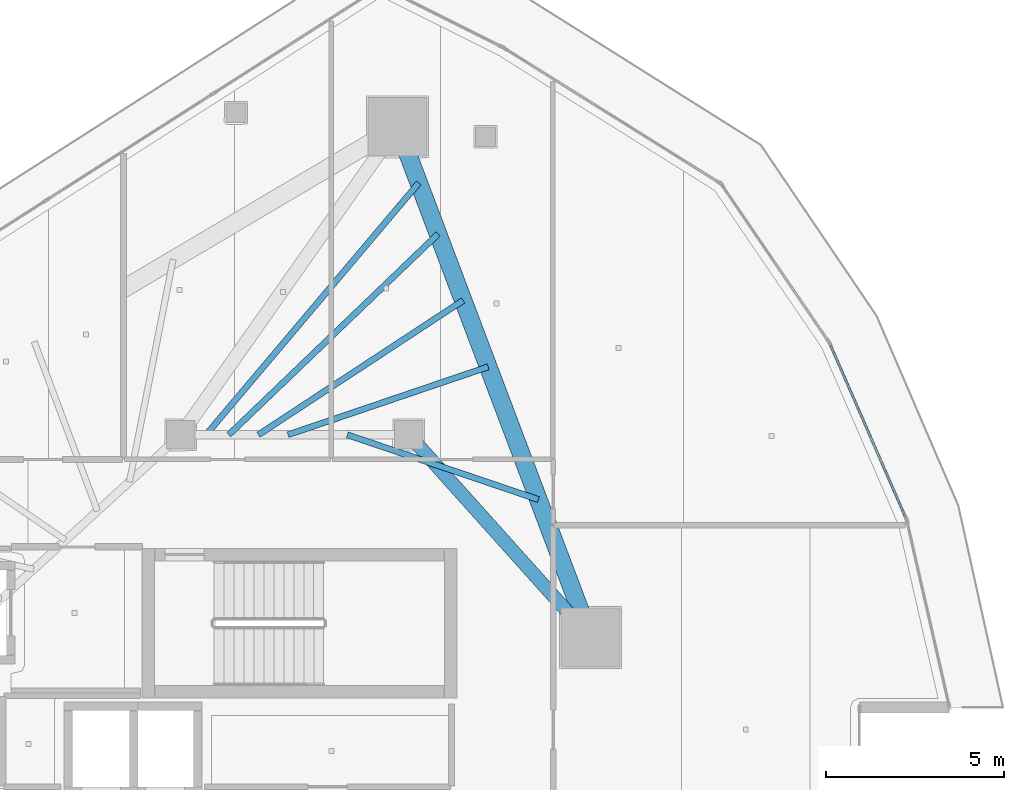
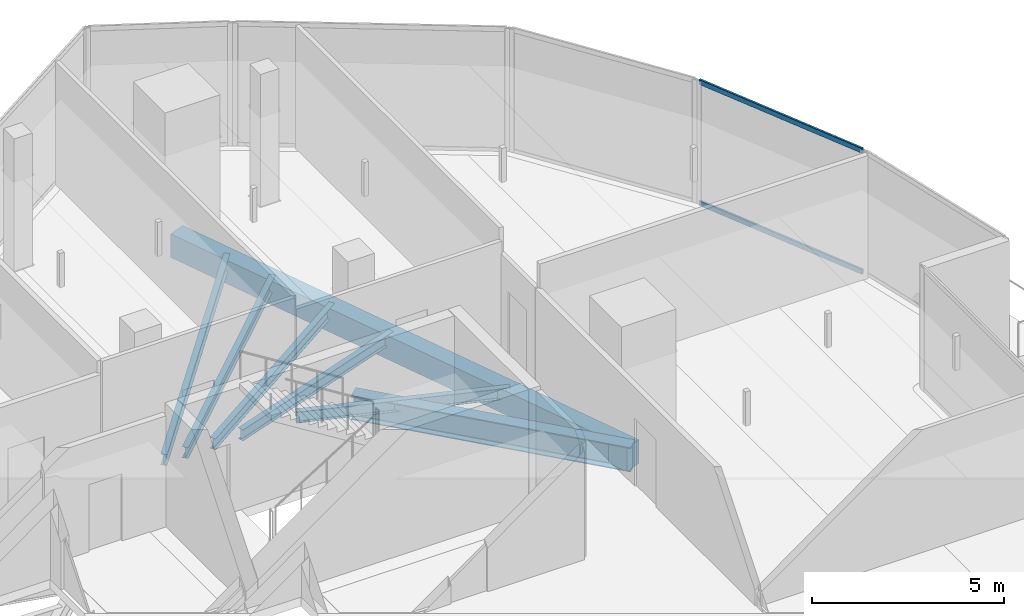
# One storey, part 20 of 36: 7 beams, 2 members, 1 element without a shape of its own.
"""IFC4 building model written with IfcOpenShell, lengths in metres."""

from ifc_helpers import new_model, si_unit, direction, frame, origin, origin_2d, place, context, subcontext, project, spatial, rectangle, hollow_rectangle, i_section, extrude, material, layer, layer_set, material_profile, profile_set, type_object, element, aggregate, save


model = new_model("IFC4")

# Units and contexts
model_context = context("Model", 3, precision=1e-05, world=origin(), true_north=direction((0.0, 1.0)))
body_context = subcontext(model_context, "Body", "Model", "MODEL_VIEW")
ifc_project = project(units=[si_unit("LENGTHUNIT", "METRE"), si_unit("AREAUNIT", "SQUARE_METRE"), si_unit("VOLUMEUNIT", "CUBIC_METRE"), si_unit("PLANEANGLEUNIT", "RADIAN"), si_unit("MASSUNIT", "GRAM", prefix="KILO")], contexts=[model_context])

# Site, building, storey
site_placement = place(None, origin())
site = spatial("IfcSite", under=ifc_project, at=site_placement, CompositionType="ELEMENT")
building_placement = place(site_placement, origin())
building = spatial("IfcBuilding", under=site, at=building_placement, Name="Qorvath Tower", CompositionType="ELEMENT")
storey_placement = place(building_placement, frame((0.0, 0.0, 272.39990234375)))
storey = spatial("IfcBuildingStorey", under=building, at=storey_placement, Name="L63", CompositionType="ELEMENT", Elevation=272.39990234375)

# Beams
ifc_material_1 = material(Name="Steel ASTM A992 Grade 50", Category="steel")
ifc_material_profile_1 = material_profile(ifc_material_1, i_section(OverallWidth=0.381103515625, OverallDepth=0.77294921875, WebThickness=0.0166015625, FlangeThickness=0.027099609375, FilletRadius=0.01904296875, at=origin_2d()), Name="W30x173")
ifc_profile_set_1 = profile_set([ifc_material_profile_1], Name="Steel ASTM A992 Grade 50")
beam_type_1 = type_object("IfcBeamType", Name="BM-FG3", PredefinedType="BEAM", material=ifc_profile_set_1)
beam_1_placement = place(storey_placement, frame((-17.199951171875, 11.449951171875, -0.67626953125), z_axis=(0.667543184261, -0.744571082669, 0.0), x_axis=(0.744571082669, 0.667543184261, 0.0)))
element("IfcBeam", 1, at=beam_1_placement, inside=storey, type_object=beam_type_1, Name="Radial Floor Girder CC2-MC5 L63", PredefinedType="BEAM", context=body_context, shape_type="SweptSolid", body=[
    extrude(i_section(OverallWidth=0.381103515625, OverallDepth=0.77294921875, WebThickness=0.0166015625, FlangeThickness=0.027099609375, FilletRadius=0.01904296875, at=origin_2d()), origin(), (0.0, 0.0, 1.0), 7.644775390625),
])
ifc_material_2 = material(Name="Steel ASTM A992 Grade 50", Category="steel")
ifc_material_profile_2 = material_profile(ifc_material_2, i_section(OverallWidth=0.1708984375, OverallDepth=0.35107421875, WebThickness=0.0068359375, FlangeThickness=0.009765625, FilletRadius=0.010009765625, at=origin_2d()), Name="W14x30")
ifc_profile_set_2 = profile_set([ifc_material_profile_2], Name="Steel ASTM A992 Grade 50")
beam_type_2 = type_object("IfcBeamType", Name="BM-FJ4", PredefinedType="JOIST", material=ifc_profile_set_2)
beam_2_placement = place(storey_placement, frame((-18.927978515625, 11.449951171875, -0.46533203125), z_axis=(0.947086298547, -0.32097903842, 0.0), x_axis=(0.32097903842, 0.947086298547, 0.0)))
element("IfcBeam", 2, at=beam_2_placement, inside=storey, type_object=beam_type_2, Name="Composite Floor Joist NE2 L63", PredefinedType="JOIST", context=body_context, shape_type="SweptSolid", body=[
    extrude(i_section(OverallWidth=0.1708984375, OverallDepth=0.35107421875, WebThickness=0.0068359375, FlangeThickness=0.009765625, FilletRadius=0.010009765625, at=origin_2d()), origin(), (0.0, 0.0, 1.0), 5.66796875),
])
beam_3_placement = place(storey_placement, frame((-20.592041015625, 11.449951171875, -0.46533203125), z_axis=(0.946863164885, 0.321636669216, 0.0), x_axis=(-0.321636669216, 0.946863164885, 0.0)))
element("IfcBeam", 3, at=beam_3_placement, inside=storey, type_object=beam_type_2, Name="Composite Floor Joist NE4 L63", PredefinedType="JOIST", context=body_context, shape_type="SweptSolid", body=[
    extrude(i_section(OverallWidth=0.1708984375, OverallDepth=0.35107421875, WebThickness=0.0068359375, FlangeThickness=0.009765625, FilletRadius=0.010009765625, at=origin_2d()), origin(), (0.0, 0.0, 1.0), 5.93896484375),
])
beam_4_placement = place(storey_placement, frame((-21.424072265625, 11.449951171875, -0.46533203125), z_axis=(0.835992964387, 0.548740160272, 0.0), x_axis=(-0.548740160272, 0.835992964387, 0.0)))
element("IfcBeam", 4, at=beam_4_placement, inside=storey, type_object=beam_type_2, Name="Composite Floor Joist NE5 L63", PredefinedType="JOIST", context=body_context, shape_type="SweptSolid", body=[
    extrude(i_section(OverallWidth=0.1708984375, OverallDepth=0.35107421875, WebThickness=0.0068359375, FlangeThickness=0.009765625, FilletRadius=0.010009765625, at=origin_2d()), origin(), (0.0, 0.0, 1.0), 6.879150390625),
])
beam_5_placement = place(storey_placement, frame((-22.256103515625, 11.449951171875, -0.46533203125), z_axis=(0.721625044611, 0.692284114356, 0.0), x_axis=(-0.692284114356, 0.721625044611, 0.0)))
element("IfcBeam", 5, at=beam_5_placement, inside=storey, type_object=beam_type_2, Name="Composite Floor Joist NE6 L63", PredefinedType="JOIST", context=body_context, shape_type="SweptSolid", body=[
    extrude(i_section(OverallWidth=0.1708984375, OverallDepth=0.35107421875, WebThickness=0.0068359375, FlangeThickness=0.009765625, FilletRadius=0.010009765625, at=origin_2d()), origin(), (0.0, 0.0, 1.0), 8.14599609375),
])
beam_6_placement = place(storey_placement, frame((-22.89599609375, 11.449951171875, -0.46533203125), z_axis=(0.645381885676, 0.763860079885, 0.0), x_axis=(-0.763860079885, 0.645381885676, 0.0)))
element("IfcBeam", 6, at=beam_6_placement, inside=storey, type_object=beam_type_2, Name="Composite Floor Joist NE7 L63", PredefinedType="JOIST", context=body_context, shape_type="SweptSolid", body=[
    extrude(i_section(OverallWidth=0.1708984375, OverallDepth=0.35107421875, WebThickness=0.0068359375, FlangeThickness=0.009765625, FilletRadius=0.010009765625, at=origin_2d()), origin(), (0.0, 0.0, 1.0), 9.260498046875),
])
ifc_material_3 = material(Name="Concrete C45/55", Category="concrete")
ifc_material_profile_3 = material_profile(ifc_material_3, rectangle(XDim=0.5, YDim=0.75, at=origin_2d()), Name="RCB 750x500")
ifc_profile_set_3 = profile_set([ifc_material_profile_3], Name="Concrete C45/55")
beam_type_3 = type_object("IfcBeamType", Name="BM-RCB3", PredefinedType="SPANDREL", material=ifc_profile_set_3)
beam_7_placement = place(storey_placement, frame((-12.0966796875, 5.7578125, -0.664794921875), z_axis=(-0.353397781952, 0.935473146441, 0.0), x_axis=(-0.935473146441, -0.353397781952, 0.0)))
element("IfcBeam", 7, at=beam_7_placement, inside=storey, type_object=beam_type_3, Name="Perimeter Loggia Frame Beam MC5-MC6 L63", PredefinedType="SPANDREL", context=body_context, shape_type="SweptSolid", body=[
    extrude(rectangle(XDim=0.5, YDim=0.75, at=origin_2d()), origin(), (0.0, 0.0, 1.0), 15.333251953125),
])

# Curtain wall, members
ifc_material_4 = material(Name="Anodised aluminium and triple low-E glass", Category="aluminium")
ifc_layer = layer(ifc_material_4, 0.179931640625)
ifc_layer_set = layer_set([ifc_layer], Name="CW-SYS-4")
curtain_wall_type = type_object("IfcCurtainWallType", Name="CW-SYS-4", PredefinedType="NOTDEFINED", material=ifc_layer_set)
curtain_wall_placement = place(storey_placement, origin())
curtain_wall = element("IfcCurtainWall", 8, at=curtain_wall_placement, inside=storey, type_object=curtain_wall_type, Name="Curtain Wall CW-4 CW-T-L63-12.1", PredefinedType="NOTDEFINED")
ifc_material_5 = material(Name="Anodised aluminium 6063-T6", Category="aluminium")
ifc_material_profile_4 = material_profile(ifc_material_5, hollow_rectangle(XDim=0.06494140625, YDim=0.159912109375, WallThickness=0.00341796875, InnerFilletRadius=0.00341796875, OuterFilletRadius=0.007080078125, at=origin_2d()), Name="CWT 160x65")
ifc_profile_set_4 = profile_set([ifc_material_profile_4], Name="Anodised aluminium 6063-T6")
member_type = type_object("IfcMemberType", Name="CWT-160", PredefinedType="USERDEFINED", material=ifc_profile_set_4)
member_1_placement = place(storey_placement, frame((-3.246337890625, 9.13623046875, 0.032470703125), z_axis=(-0.399879269802, 0.916567820504, 0.0), x_axis=(-0.916567820504, -0.399879269802, 0.0)))
member_1 = element("IfcMember", 9, at=member_1_placement, type_object=member_type, Name="CW-4 transom 1.1", ObjectType="TRANSOM", PredefinedType="USERDEFINED", context=body_context, shape_type="SweptSolid", body=[
    extrude(hollow_rectangle(XDim=0.06494140625, YDim=0.159912109375, WallThickness=0.00341796875, InnerFilletRadius=0.00341796875, OuterFilletRadius=0.007080078125, at=origin_2d()), origin(), (0.0, 0.0, 1.0), 5.262939453125),
])
member_2_placement = place(storey_placement, frame((-3.246337890625, 9.13623046875, 3.877685546875), z_axis=(-0.399879269802, 0.916567820504, 0.0), x_axis=(-0.916567820504, -0.399879269802, 0.0)))
member_2 = element("IfcMember", 10, at=member_2_placement, type_object=member_type, Name="CW-4 transom 1.2", ObjectType="TRANSOM", PredefinedType="USERDEFINED", context=body_context, shape_type="SweptSolid", body=[
    extrude(hollow_rectangle(XDim=0.06494140625, YDim=0.159912109375, WallThickness=0.00341796875, InnerFilletRadius=0.00341796875, OuterFilletRadius=0.007080078125, at=origin_2d()), origin(), (0.0, 0.0, 1.0), 5.262939453125),
])
aggregate(curtain_wall, [member_1, member_2])

save(model, "model.ifc")
